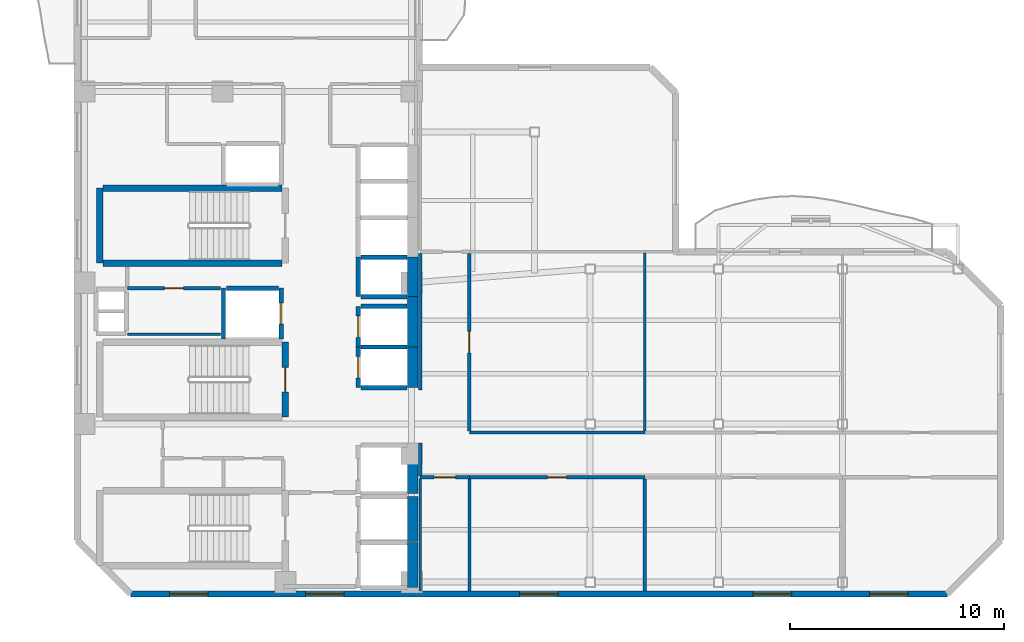
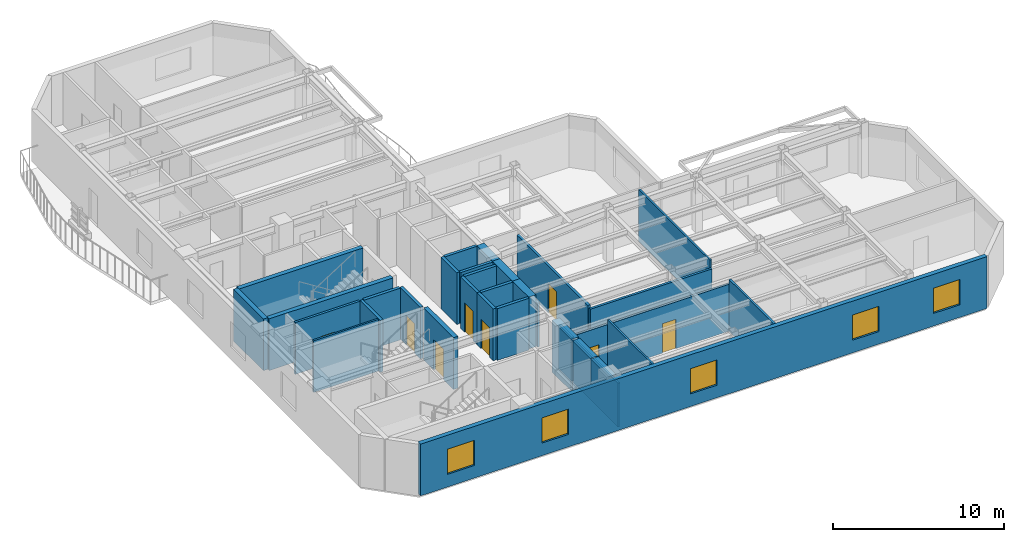
# One storey, part 3 of 9: 34 walls, 8 doors, 5 windows, 13 openings.
"""IFC4 building model written with IfcOpenShell, lengths in metres."""

from ifc_helpers import new_model, si_unit, direction, frame, frame_2d, origin, place, context, subcontext, project, spatial, rectangle, extrude, material, layer, layer_set, type_object, element, fill, save


model = new_model("IFC4")

# Units and contexts
model_context = context("Model", 3, precision=1e-05, world=origin(), true_north=direction((0.0, 1.0)))
body_context = subcontext(model_context, "Body", "Model", "MODEL_VIEW")
ifc_project = project(units=[si_unit("LENGTHUNIT", "METRE"), si_unit("AREAUNIT", "SQUARE_METRE"), si_unit("VOLUMEUNIT", "CUBIC_METRE"), si_unit("PLANEANGLEUNIT", "RADIAN"), si_unit("MASSUNIT", "GRAM", prefix="KILO")], contexts=[model_context])

# Site, building, storey
site_placement = place(None, origin())
site = spatial("IfcSite", under=ifc_project, at=site_placement, CompositionType="ELEMENT")
building_placement = place(site_placement, origin())
building = spatial("IfcBuilding", under=site, at=building_placement, Name="Mawjaban Terraces University", CompositionType="ELEMENT")
storey_placement = place(building_placement, frame((0.0, 0.0, 175.800048828125)))
storey = spatial("IfcBuildingStorey", under=building, at=storey_placement, Name="L42", CompositionType="ELEMENT", Elevation=175.800048828125)

# Walls
ifc_material_1 = material(Name="Concrete C60/75", Category="concrete")
ifc_layer_1 = layer(ifc_material_1, 0.5)
ifc_layer_set_1 = layer_set([ifc_layer_1], Name="Concrete C60/75")
wall_type_1 = type_object("IfcWallType", Name="CoreShearWall_500", PredefinedType="SHEAR", material=ifc_layer_set_1)
wall_1_placement = place(storey_placement, frame((37.699951171875, 0.300048828125, 0.0), z_axis=(0.0, 0.0, 1.0), x_axis=(0.0, 1.0, 0.0)))
element("IfcWall", 1, at=wall_1_placement, inside=storey, type_object=wall_type_1, Name="L42 Lift FL-1 Hoistway Wall East", PredefinedType="SHEAR", context=body_context, shape_type="SweptSolid", body=[
    extrude(rectangle(XDim=2.099853515625, YDim=0.5, at=frame_2d((1.0498046875, 0.0))), origin(), (0.0, 0.0, 1.0), 3.68994140625),
])
wall_2_placement = place(storey_placement, frame((37.699951171875, 2.449951171875, 0.0), z_axis=(0.0, 0.0, 1.0), x_axis=(0.0, 1.0, 0.0)))
element("IfcWall", 2, at=wall_2_placement, inside=storey, type_object=wall_type_1, Name="L42 Lift FL-2 Hoistway Wall East", PredefinedType="SHEAR", context=body_context, shape_type="SweptSolid", body=[
    extrude(rectangle(XDim=2.10009765625, YDim=0.5, at=frame_2d((1.050048828125, 0.0))), origin(), (0.0, 0.0, 1.0), 3.68994140625),
])
wall_3_placement = place(storey_placement, frame((37.699951171875, 4.699951171875, 0.0), z_axis=(0.0, 0.0, 1.0), x_axis=(0.0, 1.0, 0.0)))
element("IfcWall", 3, at=wall_3_placement, inside=storey, type_object=wall_type_1, Name="L42 Lift SL-1 Hoistway Wall East", PredefinedType="SHEAR", context=body_context, shape_type="SweptSolid", body=[
    extrude(rectangle(XDim=2.25, YDim=0.5, at=frame_2d((1.125, 0.0))), origin(), (0.0, 0.0, 1.0), 3.68994140625),
])
wall_4_placement = place(storey_placement, frame((37.699951171875, 9.64990234375, 0.0), z_axis=(0.0, 0.0, 1.0), x_axis=(0.0, 1.0, 0.0)))
element("IfcWall", 4, at=wall_4_placement, inside=storey, type_object=wall_type_1, Name="L42 Lift PL-H1 Hoistway Wall East", PredefinedType="SHEAR", context=body_context, shape_type="SweptSolid", body=[
    extrude(rectangle(XDim=1.900146484375, YDim=0.5, at=frame_2d((0.9501953125, 0.0))), origin(), (0.0, 0.0, 1.0), 3.68994140625),
])
wall_5_placement = place(storey_placement, frame((37.699951171875, 11.550048828125, 0.0), z_axis=(0.0, 0.0, 1.0), x_axis=(0.0, 1.0, 0.0)))
element("IfcWall", 5, at=wall_5_placement, inside=storey, type_object=wall_type_1, Name="L42 Lift PL-H2 Hoistway Wall East", PredefinedType="SHEAR", context=body_context, shape_type="SweptSolid", body=[
    extrude(rectangle(XDim=2.349853515625, YDim=0.5, at=frame_2d((1.1748046875, 0.0))), origin(), (0.0, 0.0, 1.0), 3.68994140625),
])
wall_6_placement = place(storey_placement, frame((37.699951171875, 13.89990234375, 0.0), z_axis=(0.0, 0.0, 1.0), x_axis=(0.0, 1.0, 0.0)))
element("IfcWall", 6, at=wall_6_placement, inside=storey, type_object=wall_type_1, Name="L42 Lift OL-1 Hoistway Wall East", PredefinedType="SHEAR", context=body_context, shape_type="SweptSolid", body=[
    extrude(rectangle(XDim=1.85009765625, YDim=0.5, at=frame_2d((0.925048828125, 0.0))), origin(), (0.0, 0.0, 1.0), 3.68994140625),
])

# Wall, opening, door
ifc_material_2 = material(Name="Fire-rated gypsum board on steel stud", Category="steel")
ifc_layer_2 = layer(ifc_material_2, 0.159912109375)
ifc_layer_set_2 = layer_set([ifc_layer_2], Name="Fire-rated gypsum board on steel stud")
wall_type_2 = type_object("IfcWallType", Name="CorridorPartition_160", PredefinedType="PARTITIONING", material=ifc_layer_set_2)
wall_7_placement = place(storey_placement, frame((24.35009765625, 14.300048828125, 0.0), z_axis=(0.0, 0.0, 1.0), x_axis=(1.0, 0.0, 0.0)))
wall_7 = element("IfcWall", 7, at=wall_7_placement, inside=storey, type_object=wall_type_2, Name="L42 Core Riser Access Passage Partition 2", PredefinedType="PARTITIONING", context=body_context, shape_type="SweptSolid", body=[
    extrude(rectangle(XDim=4.369873046875, YDim=0.159912109375, at=frame_2d((2.18505859375, 0.0))), origin(), (0.0, 0.0, 1.0), 3.68994140625),
])
opening_1_placement = place(wall_7_placement, frame((1.735107421875, 0.0, 0.0)))
opening_1 = element("IfcOpeningElement", 8, at=opening_1_placement, cuts=wall_7, Name="Opening ID-090", PredefinedType="OPENING", context=body_context, shape_type="SweptSolid", body=[
    extrude(rectangle(XDim=0.89990234375, YDim=2.10009765625, at=frame_2d((0.449951171875, 1.050048828125))), frame((0.0, 0.08984375, 0.0), z_axis=(0.0, -1.0, 0.0), x_axis=(1.0, 0.0, 0.0)), (0.0, 0.0, 1.0), 0.179931640625),
])
ifc_material_3 = material(Name="Powder-coated steel frame and solid acoustic timber leaf", Category="steel")
door_type_1 = type_object("IfcDoorType", Name="OfficeDoor_900x2100", OperationType="NOTDEFINED", PredefinedType="DOOR", material=ifc_material_3)
door_1_placement = place(opening_1_placement, origin())
door_1 = element("IfcDoor", 9, at=door_1_placement, inside=storey, type_object=door_type_1, Name="L42 Cleaner Store Door", OperationType="SINGLE_SWING_RIGHT", OverallHeight=2.10009765625, OverallWidth=0.89990234375, PredefinedType="DOOR", context=body_context, shape_type="SweptSolid", body=[
    extrude(rectangle(XDim=0.89990234375, YDim=2.10009765625, at=frame_2d((0.449951171875, 1.050048828125))), frame((0.0, 0.02490234375, 0.0), z_axis=(0.0, -1.0, 0.0), x_axis=(1.0, 0.0, 0.0)), (0.0, 0.0, 1.0), 0.050048828125),
])
fill(opening_1, door_1)

wall_8_placement = place(storey_placement, frame((38.050048828125, 5.449951171875, 0.0), z_axis=(0.0, 0.0, 1.0), x_axis=(1.0, 0.0, 0.0)))
wall_8 = element("IfcWall", 10, at=wall_8_placement, inside=storey, type_object=wall_type_2, Name="L42 South Spine Spur Link Partition 18", PredefinedType="PARTITIONING", context=body_context, shape_type="SweptSolid", body=[
    extrude(rectangle(XDim=2.300048828125, YDim=0.159912109375, at=frame_2d((1.14990234375, 0.0))), origin(), (0.0, 0.0, 1.0), 3.343017578125),
])
opening_2_placement = place(wall_8_placement, frame((0.64990234375, 0.0, 0.0)))
opening_2 = element("IfcOpeningElement", 11, at=opening_2_placement, cuts=wall_8, Name="Opening ID-100", PredefinedType="OPENING", context=body_context, shape_type="SweptSolid", body=[
    extrude(rectangle(XDim=1.0, YDim=2.10009765625, at=frame_2d((0.5, 1.050048828125))), frame((0.0, 0.08984375, 0.0), z_axis=(0.0, -1.0, 0.0), x_axis=(1.0, 0.0, 0.0)), (0.0, 0.0, 1.0), 0.179931640625),
])
door_type_2 = type_object("IfcDoorType", Name="ClassroomDoor_1000x2100", OperationType="NOTDEFINED", PredefinedType="DOOR", material=ifc_material_3)
door_2_placement = place(opening_2_placement, origin())
door_2 = element("IfcDoor", 12, at=door_2_placement, inside=storey, type_object=door_type_2, Name="L42 Classroom 1 Door", OperationType="SINGLE_SWING_RIGHT", OverallHeight=2.10009765625, OverallWidth=1.0, PredefinedType="DOOR", context=body_context, shape_type="SweptSolid", body=[
    extrude(rectangle(XDim=1.0, YDim=2.10009765625, at=frame_2d((0.5, 1.050048828125))), frame((0.0, 0.02490234375, 0.0), z_axis=(0.0, -1.0, 0.0), x_axis=(1.0, 0.0, 0.0)), (0.0, 0.0, 1.0), 0.050048828125),
])
fill(opening_2, door_2)

wall_9_placement = place(storey_placement, frame((40.35009765625, 5.449951171875, 0.0), z_axis=(0.0, 0.0, 1.0), x_axis=(1.0, 0.0, 0.0)))
wall_9 = element("IfcWall", 13, at=wall_9_placement, inside=storey, type_object=wall_type_2, Name="L42 South Shifted Academic Corridor Partition 19", PredefinedType="PARTITIONING", context=body_context, shape_type="SweptSolid", body=[
    extrude(rectangle(XDim=8.199951171875, YDim=0.159912109375, at=frame_2d((4.10009765625, 0.0))), origin(), (0.0, 0.0, 1.0), 3.343017578125),
])
opening_3_placement = place(wall_9_placement, frame((3.64990234375, 0.0, 0.0)))
opening_3 = element("IfcOpeningElement", 14, at=opening_3_placement, cuts=wall_9, Name="Opening ID-090", PredefinedType="OPENING", context=body_context, shape_type="SweptSolid", body=[
    extrude(rectangle(XDim=0.89990234375, YDim=2.10009765625, at=frame_2d((0.449951171875, 1.050048828125))), frame((0.0, 0.08984375, 0.0), z_axis=(0.0, -1.0, 0.0), x_axis=(1.0, 0.0, 0.0)), (0.0, 0.0, 1.0), 0.179931640625),
])
door_3_placement = place(opening_3_placement, origin())
door_3 = element("IfcDoor", 15, at=door_3_placement, inside=storey, type_object=door_type_1, Name="L42 Seminar Room 2 Door", OperationType="SINGLE_SWING_LEFT", OverallHeight=2.10009765625, OverallWidth=0.89990234375, PredefinedType="DOOR", context=body_context, shape_type="SweptSolid", body=[
    extrude(rectangle(XDim=0.89990234375, YDim=2.10009765625, at=frame_2d((0.449951171875, 1.050048828125))), frame((0.0, 0.02490234375, 0.0), z_axis=(0.0, -1.0, 0.0), x_axis=(1.0, 0.0, 0.0)), (0.0, 0.0, 1.0), 0.050048828125),
])
fill(opening_3, door_3)

# Walls
wall_10_placement = place(storey_placement, frame((48.550048828125, 7.550048828125, 0.0), z_axis=(0.0, 0.0, 1.0), x_axis=(-1.0, 0.0, 0.0)))
element("IfcWall", 16, at=wall_10_placement, inside=storey, type_object=wall_type_2, Name="L42 South Shifted Academic Corridor Partition 22", PredefinedType="PARTITIONING", context=body_context, shape_type="SweptSolid", body=[
    extrude(rectangle(XDim=8.199951171875, YDim=0.159912109375, at=frame_2d((4.10009765625, 0.0))), origin(), (0.0, 0.0, 1.0), 3.138916015625),
])
wall_11_placement = place(storey_placement, frame((38.050048828125, 7.050048828125, 0.0), z_axis=(0.0, 0.0, 1.0), x_axis=(0.0, -1.0, 0.0)))
element("IfcWall", 17, at=wall_11_placement, inside=storey, type_object=wall_type_2, Name="L42 South Spine Spur Link Partition 44", PredefinedType="PARTITIONING", context=body_context, shape_type="SweptSolid", body=[
    extrude(rectangle(XDim=1.525146484375, YDim=0.159912109375, at=frame_2d((0.7626953125, 0.0))), origin(), (0.0, 0.0, 1.0), 3.138916015625),
])
wall_12_placement = place(storey_placement, frame((38.050048828125, 15.925048828125, 0.0), z_axis=(0.0, 0.0, 1.0), x_axis=(0.0, -1.0, 0.0)))
element("IfcWall", 18, at=wall_12_placement, inside=storey, type_object=wall_type_2, Name="L42 South Spine Spur Link Partition 45", PredefinedType="PARTITIONING", context=body_context, shape_type="SweptSolid", body=[
    extrude(rectangle(XDim=6.375, YDim=0.159912109375, at=frame_2d((3.1875, 0.0))), origin(), (0.0, 0.0, 1.0), 3.138916015625),
])

# Wall, opening, door
wall_13_placement = place(storey_placement, frame((40.35009765625, 7.625, 0.0), z_axis=(0.0, 0.0, 1.0), x_axis=(0.0, 1.0, 0.0)))
wall_13 = element("IfcWall", 19, at=wall_13_placement, inside=storey, type_object=wall_type_2, Name="L42 South Spine Spur Link Partition 48", PredefinedType="PARTITIONING", context=body_context, shape_type="SweptSolid", body=[
    extrude(rectangle(XDim=8.300048828125, YDim=0.159912109375, at=frame_2d((4.14990234375, 0.0))), origin(), (0.0, 0.0, 1.0), 3.343017578125),
])
opening_4_placement = place(wall_13_placement, frame((3.64990234375, 0.0, 0.0)))
opening_4 = element("IfcOpeningElement", 20, at=opening_4_placement, cuts=wall_13, Name="Opening ID-100", PredefinedType="OPENING", context=body_context, shape_type="SweptSolid", body=[
    extrude(rectangle(XDim=1.0, YDim=2.10009765625, at=frame_2d((0.5, 1.050048828125))), frame((0.0, 0.08984375, 0.0), z_axis=(0.0, -1.0, 0.0), x_axis=(1.0, 0.0, 0.0)), (0.0, 0.0, 1.0), 0.179931640625),
])
door_4_placement = place(opening_4_placement, origin())
door_4 = element("IfcDoor", 21, at=door_4_placement, inside=storey, type_object=door_type_2, Name="L42 Classroom 3 Door", OperationType="SINGLE_SWING_RIGHT", OverallHeight=2.10009765625, OverallWidth=1.0, PredefinedType="DOOR", context=body_context, shape_type="SweptSolid", body=[
    extrude(rectangle(XDim=1.0, YDim=2.10009765625, at=frame_2d((0.5, 1.050048828125))), frame((0.0, 0.02490234375, 0.0), z_axis=(0.0, -1.0, 0.0), x_axis=(1.0, 0.0, 0.0)), (0.0, 0.0, 1.0), 0.050048828125),
])
fill(opening_4, door_4)

# Wall, openings, windows
ifc_material_4 = material(Name="Insulated terracotta rainscreen on concrete backup C40/50", Category="masonry")
ifc_layer_3 = layer(ifc_material_4, 0.300048828125)
ifc_layer_set_3 = layer_set([ifc_layer_3], Name="Insulated terracotta rainscreen on concrete backup C40/50")
wall_type_3 = type_object("IfcWallType", Name="ExtTerracottaWall_300", PredefinedType="SOLIDWALL", material=ifc_layer_set_3)
wall_14_placement = place(storey_placement, frame((24.5, 0.0, 0.0), z_axis=(0.0, 0.0, 1.0), x_axis=(1.0, 0.0, 0.0)))
wall_14 = element("IfcWall", 22, at=wall_14_placement, inside=storey, type_object=wall_type_3, Name="L42 Exterior Terracotta Wall 1", PredefinedType="SOLIDWALL", context=body_context, shape_type="SweptSolid", body=[
    extrude(rectangle(XDim=38.199951171875, YDim=0.300048828125, at=frame_2d((19.10009765625, 0.0))), origin(), (0.0, 0.0, 1.0), 3.68994140625),
])
opening_5_placement = place(wall_14_placement, frame((1.8291015625, 0.0, 0.89990234375)))
opening_5 = element("IfcOpeningElement", 23, at=opening_5_placement, cuts=wall_14, Name="Opening W-07", PredefinedType="OPENING", context=body_context, shape_type="SweptSolid", body=[
    extrude(rectangle(XDim=1.800048828125, YDim=1.800048828125, at=frame_2d((0.89990234375, 0.89990234375))), frame((0.0, 0.159912109375, 0.0), z_axis=(0.0, -1.0, 0.0), x_axis=(1.0, 0.0, 0.0)), (0.0, 0.0, 1.0), 0.320068359375),
])
opening_6_placement = place(wall_14_placement, frame((8.18603515625, 0.0, 0.89990234375)))
opening_6 = element("IfcOpeningElement", 24, at=opening_6_placement, cuts=wall_14, Name="Opening W-07", PredefinedType="OPENING", context=body_context, shape_type="SweptSolid", body=[
    extrude(rectangle(XDim=1.800048828125, YDim=1.800048828125, at=frame_2d((0.89990234375, 0.89990234375))), frame((0.0, 0.159912109375, 0.0), z_axis=(0.0, -1.0, 0.0), x_axis=(1.0, 0.0, 0.0)), (0.0, 0.0, 1.0), 0.320068359375),
])
opening_7_placement = place(wall_14_placement, frame((18.199951171875, 0.0, 0.89990234375)))
opening_7 = element("IfcOpeningElement", 25, at=opening_7_placement, cuts=wall_14, Name="Opening W-07", PredefinedType="OPENING", context=body_context, shape_type="SweptSolid", body=[
    extrude(rectangle(XDim=1.800048828125, YDim=1.800048828125, at=frame_2d((0.89990234375, 0.89990234375))), frame((0.0, 0.159912109375, 0.0), z_axis=(0.0, -1.0, 0.0), x_axis=(1.0, 0.0, 0.0)), (0.0, 0.0, 1.0), 0.320068359375),
])
opening_8_placement = place(wall_14_placement, frame((29.114013671875, 0.0, 0.89990234375)))
opening_8 = element("IfcOpeningElement", 26, at=opening_8_placement, cuts=wall_14, Name="Opening W-07", PredefinedType="OPENING", context=body_context, shape_type="SweptSolid", body=[
    extrude(rectangle(XDim=1.800048828125, YDim=1.800048828125, at=frame_2d((0.89990234375, 0.89990234375))), frame((0.0, 0.159912109375, 0.0), z_axis=(0.0, -1.0, 0.0), x_axis=(1.0, 0.0, 0.0)), (0.0, 0.0, 1.0), 0.320068359375),
])
opening_9_placement = place(wall_14_placement, frame((34.571044921875, 0.0, 0.89990234375)))
opening_9 = element("IfcOpeningElement", 27, at=opening_9_placement, cuts=wall_14, Name="Opening W-07", PredefinedType="OPENING", context=body_context, shape_type="SweptSolid", body=[
    extrude(rectangle(XDim=1.800048828125, YDim=1.800048828125, at=frame_2d((0.89990234375, 0.89990234375))), frame((0.0, 0.159912109375, 0.0), z_axis=(0.0, -1.0, 0.0), x_axis=(1.0, 0.0, 0.0)), (0.0, 0.0, 1.0), 0.320068359375),
])
ifc_material_5 = material(Name="Low-E solar-control double glazing in thermally broken aluminium frame", Category="aluminium")
window_type = type_object("IfcWindowType", Name="Win_1800x1800", PartitioningType="SINGLE_PANEL", PredefinedType="WINDOW", material=ifc_material_5)
window_1_placement = place(opening_5_placement, origin())
window_1 = element("IfcWindow", 28, at=window_1_placement, inside=storey, type_object=window_type, Name="L42 Facade Window 1.1", OverallHeight=1.800048828125, OverallWidth=1.800048828125, PartitioningType="SINGLE_PANEL", PredefinedType="WINDOW", context=body_context, shape_type="SweptSolid", body=[
    extrude(rectangle(XDim=1.800048828125, YDim=1.800048828125, at=frame_2d((0.89990234375, 0.89990234375))), frame((0.0, 0.030029296875, 0.0), z_axis=(0.0, -1.0, 0.0), x_axis=(1.0, 0.0, 0.0)), (0.0, 0.0, 1.0), 0.06005859375),
])
fill(opening_5, window_1)
window_2_placement = place(opening_6_placement, origin())
window_2 = element("IfcWindow", 29, at=window_2_placement, inside=storey, type_object=window_type, Name="L42 Facade Window 1.2", OverallHeight=1.800048828125, OverallWidth=1.800048828125, PartitioningType="SINGLE_PANEL", PredefinedType="WINDOW", context=body_context, shape_type="SweptSolid", body=[
    extrude(rectangle(XDim=1.800048828125, YDim=1.800048828125, at=frame_2d((0.89990234375, 0.89990234375))), frame((0.0, 0.030029296875, 0.0), z_axis=(0.0, -1.0, 0.0), x_axis=(1.0, 0.0, 0.0)), (0.0, 0.0, 1.0), 0.06005859375),
])
fill(opening_6, window_2)
window_3_placement = place(opening_7_placement, origin())
window_3 = element("IfcWindow", 30, at=window_3_placement, inside=storey, type_object=window_type, Name="L42 Facade Window 1.4", OverallHeight=1.800048828125, OverallWidth=1.800048828125, PartitioningType="SINGLE_PANEL", PredefinedType="WINDOW", context=body_context, shape_type="SweptSolid", body=[
    extrude(rectangle(XDim=1.800048828125, YDim=1.800048828125, at=frame_2d((0.89990234375, 0.89990234375))), frame((0.0, 0.030029296875, 0.0), z_axis=(0.0, -1.0, 0.0), x_axis=(1.0, 0.0, 0.0)), (0.0, 0.0, 1.0), 0.06005859375),
])
fill(opening_7, window_3)
window_4_placement = place(opening_8_placement, origin())
window_4 = element("IfcWindow", 31, at=window_4_placement, inside=storey, type_object=window_type, Name="L42 Facade Window 1.6", OverallHeight=1.800048828125, OverallWidth=1.800048828125, PartitioningType="SINGLE_PANEL", PredefinedType="WINDOW", context=body_context, shape_type="SweptSolid", body=[
    extrude(rectangle(XDim=1.800048828125, YDim=1.800048828125, at=frame_2d((0.89990234375, 0.89990234375))), frame((0.0, 0.030029296875, 0.0), z_axis=(0.0, -1.0, 0.0), x_axis=(1.0, 0.0, 0.0)), (0.0, 0.0, 1.0), 0.06005859375),
])
fill(opening_8, window_4)
window_5_placement = place(opening_9_placement, origin())
window_5 = element("IfcWindow", 32, at=window_5_placement, inside=storey, type_object=window_type, Name="L42 Facade Window 1.7", OverallHeight=1.800048828125, OverallWidth=1.800048828125, PartitioningType="SINGLE_PANEL", PredefinedType="WINDOW", context=body_context, shape_type="SweptSolid", body=[
    extrude(rectangle(XDim=1.800048828125, YDim=1.800048828125, at=frame_2d((0.89990234375, 0.89990234375))), frame((0.0, 0.030029296875, 0.0), z_axis=(0.0, -1.0, 0.0), x_axis=(1.0, 0.0, 0.0)), (0.0, 0.0, 1.0), 0.06005859375),
])
fill(opening_9, window_5)

# Wall, opening, door
ifc_material_6 = material(Name="Concrete C40/50", Category="concrete")
ifc_layer_4 = layer(ifc_material_6, 0.199951171875)
ifc_layer_set_4 = layer_set([ifc_layer_4], Name="Concrete C40/50")
wall_type_4 = type_object("IfcWallType", Name="FireLobbyWall_200", PredefinedType="SOLIDWALL", material=ifc_layer_set_4)
wall_15_placement = place(storey_placement, frame((35.14990234375, 11.550048828125, 0.0), z_axis=(0.0, 0.0, 1.0), x_axis=(0.0, -1.0, 0.0)))
wall_15 = element("IfcWall", 33, at=wall_15_placement, inside=storey, type_object=wall_type_4, Name="L42 Lift PL-H1 Hoistway Wall West", PredefinedType="SOLIDWALL", context=body_context, shape_type="SweptSolid", body=[
    extrude(rectangle(XDim=1.900146484375, YDim=0.199951171875, at=frame_2d((0.9501953125, 0.0))), origin(), (0.0, 0.0, 1.0), 3.68994140625),
])
opening_10_placement = place(wall_15_placement, frame((0.449951171875, 0.0, 0.0)))
opening_10 = element("IfcOpeningElement", 34, at=opening_10_placement, cuts=wall_15, Name="Opening LD-PL-H1", PredefinedType="OPENING", context=body_context, shape_type="SweptSolid", body=[
    extrude(rectangle(XDim=1.0, YDim=2.10009765625, at=frame_2d((0.5, 1.050048828125))), frame((0.0, 0.10986328125, 0.0), z_axis=(0.0, -1.0, 0.0), x_axis=(1.0, 0.0, 0.0)), (0.0, 0.0, 1.0), 0.219970703125),
])
ifc_material_7 = material(Name="Powder-coated steel frame and fire-rated steel-faced leaf", Category="steel")
door_type_3 = type_object("IfcDoorType", Name="LiftLandingSliding_1000x2100", OperationType="NOTDEFINED", PredefinedType="DOOR", material=ifc_material_7)
door_5_placement = place(opening_10_placement, origin())
door_5 = element("IfcDoor", 35, at=door_5_placement, inside=storey, type_object=door_type_3, Name="L42 Lift PL-H1 Sliding Landing Door", OperationType="DOUBLE_DOOR_SLIDING", OverallHeight=2.10009765625, OverallWidth=1.0, PredefinedType="DOOR", context=body_context, shape_type="SweptSolid", body=[
    extrude(rectangle(XDim=1.0, YDim=2.10009765625, at=frame_2d((0.5, 1.050048828125))), frame((0.0, 0.02490234375, 0.0), z_axis=(0.0, -1.0, 0.0), x_axis=(1.0, 0.0, 0.0)), (0.0, 0.0, 1.0), 0.050048828125),
])
fill(opening_10, door_5)

# Walls
for number, where, z_axis, x_axis, name in (
    (36, (35.280029296875, 9.64990234375, 0.0), (0.0, 0.0, 1.0), (1.0, 0.0, 0.0), "L42 Lift PL-H1 Hoistway Wall South"),
    (37, (37.419921875, 11.550048828125, 0.0), (0.0, 0.0, 1.0), (-1.0, 0.0, 0.0), "L42 Lift PL-H1 Hoistway Wall North"),
):
    element("IfcWall", number, at=place(storey_placement, frame(where, z_axis=z_axis, x_axis=x_axis)), inside=storey, type_object=wall_type_4, Name=name, PredefinedType="SOLIDWALL", context=body_context, shape_type="SweptSolid", body=[
        extrude(rectangle(XDim=2.139892578125, YDim=0.199951171875, at=frame_2d((1.06982421875, 0.0))), origin(), (0.0, 0.0, 1.0), 3.68994140625),
    ])

# Wall, opening, door
wall_16_placement = place(storey_placement, frame((35.14990234375, 13.449951171875, 0.0), z_axis=(0.0, 0.0, 1.0), x_axis=(0.0, -1.0, 0.0)))
wall_16 = element("IfcWall", 38, at=wall_16_placement, inside=storey, type_object=wall_type_4, Name="L42 Lift PL-H2 Hoistway Wall West", PredefinedType="SOLIDWALL", context=body_context, shape_type="SweptSolid", body=[
    extrude(rectangle(XDim=1.89990234375, YDim=0.199951171875, at=frame_2d((0.949951171875, 0.0))), origin(), (0.0, 0.0, 1.0), 3.68994140625),
])
opening_11_placement = place(wall_16_placement, frame((0.449951171875, 0.0, 0.0)))
opening_11 = element("IfcOpeningElement", 39, at=opening_11_placement, cuts=wall_16, Name="Opening LD-PL-H2", PredefinedType="OPENING", context=body_context, shape_type="SweptSolid", body=[
    extrude(rectangle(XDim=1.0, YDim=2.10009765625, at=frame_2d((0.5, 1.050048828125))), frame((0.0, 0.10986328125, 0.0), z_axis=(0.0, -1.0, 0.0), x_axis=(1.0, 0.0, 0.0)), (0.0, 0.0, 1.0), 0.219970703125),
])
door_6_placement = place(opening_11_placement, origin())
door_6 = element("IfcDoor", 40, at=door_6_placement, inside=storey, type_object=door_type_3, Name="L42 Lift PL-H2 Sliding Landing Door", OperationType="DOUBLE_DOOR_SLIDING", OverallHeight=2.10009765625, OverallWidth=1.0, PredefinedType="DOOR", context=body_context, shape_type="SweptSolid", body=[
    extrude(rectangle(XDim=1.0, YDim=2.10009765625, at=frame_2d((0.5, 1.050048828125))), frame((0.0, 0.02490234375, 0.0), z_axis=(0.0, -1.0, 0.0), x_axis=(1.0, 0.0, 0.0)), (0.0, 0.0, 1.0), 0.050048828125),
])
fill(opening_11, door_6)

# Walls
wall_17_placement = place(storey_placement, frame((37.419921875, 13.449951171875, 0.0), z_axis=(0.0, 0.0, 1.0), x_axis=(-1.0, 0.0, 0.0)))
element("IfcWall", 41, at=wall_17_placement, inside=storey, type_object=wall_type_4, Name="L42 Lift PL-H2 Hoistway Wall North", PredefinedType="SOLIDWALL", context=body_context, shape_type="SweptSolid", body=[
    extrude(rectangle(XDim=2.139892578125, YDim=0.199951171875, at=frame_2d((1.06982421875, 0.0))), origin(), (0.0, 0.0, 1.0), 3.68994140625),
])
wall_18_placement = place(storey_placement, frame((28.85009765625, 14.300048828125, 0.0), z_axis=(0.0, 0.0, 1.0), x_axis=(0.0, -1.0, 0.0)))
element("IfcWall", 42, at=wall_18_placement, inside=storey, type_object=wall_type_4, Name="L42 Lift PL-H3 Hoistway Wall West", PredefinedType="SOLIDWALL", context=body_context, shape_type="SweptSolid", body=[
    extrude(rectangle(XDim=2.3701171875, YDim=0.199951171875, at=frame_2d((1.18505859375, 0.0))), origin(), (0.0, 0.0, 1.0), 3.68994140625),
])

# Wall, opening, door
wall_19_placement = place(storey_placement, frame((31.550048828125, 11.929931640625, 0.0), z_axis=(0.0, 0.0, 1.0), x_axis=(0.0, 1.0, 0.0)))
wall_19 = element("IfcWall", 43, at=wall_19_placement, inside=storey, type_object=wall_type_4, Name="L42 Lift PL-H3 Hoistway Wall East", PredefinedType="SOLIDWALL", context=body_context, shape_type="SweptSolid", body=[
    extrude(rectangle(XDim=2.3701171875, YDim=0.199951171875, at=frame_2d((1.18505859375, 0.0))), origin(), (0.0, 0.0, 1.0), 3.68994140625),
])
opening_12_placement = place(wall_19_placement, frame((0.68505859375, 0.0, 0.0)))
opening_12 = element("IfcOpeningElement", 44, at=opening_12_placement, cuts=wall_19, Name="Opening LD-PL-H3", PredefinedType="OPENING", context=body_context, shape_type="SweptSolid", body=[
    extrude(rectangle(XDim=1.0, YDim=2.10009765625, at=frame_2d((0.5, 1.050048828125))), frame((0.0, 0.10986328125, 0.0), z_axis=(0.0, -1.0, 0.0), x_axis=(1.0, 0.0, 0.0)), (0.0, 0.0, 1.0), 0.219970703125),
])
door_7_placement = place(opening_12_placement, origin())
door_7 = element("IfcDoor", 45, at=door_7_placement, inside=storey, type_object=door_type_3, Name="L42 Lift PL-H3 Sliding Landing Door", OperationType="DOUBLE_DOOR_SLIDING", OverallHeight=2.10009765625, OverallWidth=1.0, PredefinedType="DOOR", context=body_context, shape_type="SweptSolid", body=[
    extrude(rectangle(XDim=1.0, YDim=2.10009765625, at=frame_2d((0.5, 1.050048828125))), frame((0.0, 0.02490234375, 0.0), z_axis=(0.0, -1.0, 0.0), x_axis=(1.0, 0.0, 0.0)), (0.0, 0.0, 1.0), 0.050048828125),
])
fill(opening_12, door_7)

# Walls
wall_20_placement = place(storey_placement, frame((31.419921875, 14.300048828125, 0.0), z_axis=(0.0, 0.0, 1.0), x_axis=(-1.0, 0.0, 0.0)))
element("IfcWall", 46, at=wall_20_placement, inside=storey, type_object=wall_type_4, Name="L42 Lift PL-H3 Hoistway Wall North", PredefinedType="SOLIDWALL", context=body_context, shape_type="SweptSolid", body=[
    extrude(rectangle(XDim=2.43994140625, YDim=0.199951171875, at=frame_2d((1.219970703125, 0.0))), origin(), (0.0, 0.0, 1.0), 3.68994140625),
])
wall_21_placement = place(storey_placement, frame((35.14990234375, 15.75, 0.0), z_axis=(0.0, 0.0, 1.0), x_axis=(0.0, -1.0, 0.0)))
element("IfcWall", 47, at=wall_21_placement, inside=storey, type_object=wall_type_4, Name="L42 Lift OL-1 Hoistway Wall West", PredefinedType="SOLIDWALL", context=body_context, shape_type="SweptSolid", body=[
    extrude(rectangle(XDim=1.85009765625, YDim=0.199951171875, at=frame_2d((0.925048828125, 0.0))), origin(), (0.0, 0.0, 1.0), 3.68994140625),
])
for number, where, z_axis, x_axis, name in (
    (48, (35.280029296875, 13.89990234375, 0.0), (0.0, 0.0, 1.0), (1.0, 0.0, 0.0), "L42 Lift OL-1 Hoistway Wall South"),
    (49, (37.419921875, 15.75, 0.0), (0.0, 0.0, 1.0), (-1.0, 0.0, 0.0), "L42 Lift OL-1 Hoistway Wall North"),
):
    element("IfcWall", number, at=place(storey_placement, frame(where, z_axis=z_axis, x_axis=x_axis)), inside=storey, type_object=wall_type_4, Name=name, PredefinedType="SOLIDWALL", context=body_context, shape_type="SweptSolid", body=[
        extrude(rectangle(XDim=2.139892578125, YDim=0.199951171875, at=frame_2d((1.06982421875, 0.0))), origin(), (0.0, 0.0, 1.0), 3.68994140625),
    ])
ifc_material_8 = material(Name="Moisture-resistant gypsum board on steel stud", Category="steel")
ifc_layer_5 = layer(ifc_material_8, 0.14501953125)
ifc_layer_set_5 = layer_set([ifc_layer_5], Name="Moisture-resistant gypsum board on steel stud")
wall_type_5 = type_object("IfcWallType", Name="LabPartition_145", PredefinedType="PARTITIONING", material=ifc_layer_set_5)
wall_22_placement = place(storey_placement, frame((48.550048828125, 0.14501953125, 0.0), z_axis=(0.0, 0.0, 1.0), x_axis=(0.0, 1.0, 0.0)))
element("IfcWall", 50, at=wall_22_placement, inside=storey, type_object=wall_type_5, Name="L42 Seminar Room 2 Partition 49", PredefinedType="PARTITIONING", context=body_context, shape_type="SweptSolid", body=[
    extrude(rectangle(XDim=5.22998046875, YDim=0.14501953125, at=frame_2d((2.614990234375, 0.0))), origin(), (0.0, 0.0, 1.0), 3.68994140625),
])
ifc_material_9 = material(Name="Gypsum plasterboard on steel stud", Category="steel")
ifc_layer_6 = layer(ifc_material_9, 0.125)
ifc_layer_set_6 = layer_set([ifc_layer_6], Name="Gypsum plasterboard on steel stud")
wall_type_6 = type_object("IfcWallType", Name="OfficePartition_125", PredefinedType="PARTITIONING", material=ifc_layer_set_6)
wall_23_placement = place(storey_placement, frame((24.35009765625, 12.14990234375, 0.0), z_axis=(0.0, 0.0, 1.0), x_axis=(1.0, 0.0, 0.0)))
element("IfcWall", 51, at=wall_23_placement, inside=storey, type_object=wall_type_6, Name="L42 Cleaner Store Partition 1", PredefinedType="PARTITIONING", context=body_context, shape_type="SweptSolid", body=[
    extrude(rectangle(XDim=4.369873046875, YDim=0.125, at=frame_2d((2.18505859375, 0.0))), origin(), (0.0, 0.0, 1.0), 3.68994140625),
])
wall_24_placement = place(storey_placement, frame((38.050048828125, 5.375, 0.0), z_axis=(0.0, 0.0, 1.0), x_axis=(0.0, -1.0, 0.0)))
element("IfcWall", 52, at=wall_24_placement, inside=storey, type_object=wall_type_6, Name="L42 Classroom 1 Partition 43", PredefinedType="PARTITIONING", context=body_context, shape_type="SweptSolid", body=[
    extrude(rectangle(XDim=5.22998046875, YDim=0.125, at=frame_2d((2.614990234375, 0.0))), origin(), (0.0, 0.0, 1.0), 3.138916015625),
])
wall_25_placement = place(storey_placement, frame((40.35009765625, 0.14501953125, 0.0), z_axis=(0.0, 0.0, 1.0), x_axis=(0.0, 1.0, 0.0)))
element("IfcWall", 53, at=wall_25_placement, inside=storey, type_object=wall_type_6, Name="L42 Classroom 1 Partition 47", PredefinedType="PARTITIONING", context=body_context, shape_type="SweptSolid", body=[
    extrude(rectangle(XDim=5.22998046875, YDim=0.125, at=frame_2d((2.614990234375, 0.0))), origin(), (0.0, 0.0, 1.0), 3.68994140625),
])
wall_26_placement = place(storey_placement, frame((48.550048828125, 7.625, 0.0), z_axis=(0.0, 0.0, 1.0), x_axis=(0.0, 1.0, 0.0)))
element("IfcWall", 54, at=wall_26_placement, inside=storey, type_object=wall_type_6, Name="L42 Classroom 3 Partition 50", PredefinedType="PARTITIONING", context=body_context, shape_type="SweptSolid", body=[
    extrude(rectangle(XDim=8.318115234375, YDim=0.125, at=frame_2d((4.1591796875, 0.0))), origin(), (0.0, 0.0, 1.0), 3.68994140625),
])
ifc_layer_7 = layer(ifc_material_1, 0.300048828125)
ifc_layer_set_7 = layer_set([ifc_layer_7], Name="Concrete C60/75")
wall_type_7 = type_object("IfcWallType", Name="StairShaftWall_300", PredefinedType="SHEAR", material=ifc_layer_set_7)
wall_27_placement = place(storey_placement, frame((31.580078125, 18.97998046875, 0.0), z_axis=(0.0, 0.0, 1.0), x_axis=(-1.0, 0.0, 0.0)))
element("IfcWall", 55, at=wall_27_placement, inside=storey, type_object=wall_type_7, Name="L42 ST-2 Stair Shaft Wall 1", PredefinedType="SHEAR", context=body_context, shape_type="SweptSolid", body=[
    extrude(rectangle(XDim=8.360107421875, YDim=0.300048828125, at=frame_2d((4.18017578125, 0.0))), origin(), (0.0, 0.0, 1.0), 3.68994140625),
])
wall_28_placement = place(storey_placement, frame((23.070068359375, 18.97998046875, 0.0), z_axis=(0.0, 0.0, 1.0), x_axis=(0.0, -1.0, 0.0)))
element("IfcWall", 56, at=wall_28_placement, inside=storey, type_object=wall_type_7, Name="L42 ST-2 Stair Shaft Wall 2", PredefinedType="SHEAR", context=body_context, shape_type="SweptSolid", body=[
    extrude(rectangle(XDim=3.510009765625, YDim=0.300048828125, at=frame_2d((1.7548828125, 0.0))), origin(), (0.0, 0.0, 1.0), 3.68994140625),
])
wall_29_placement = place(storey_placement, frame((23.219970703125, 15.469970703125, 0.0), z_axis=(0.0, 0.0, 1.0), x_axis=(1.0, 0.0, 0.0)))
element("IfcWall", 57, at=wall_29_placement, inside=storey, type_object=wall_type_7, Name="L42 ST-2 Stair Shaft Wall 3", PredefinedType="SHEAR", context=body_context, shape_type="SweptSolid", body=[
    extrude(rectangle(XDim=8.360107421875, YDim=0.300048828125, at=frame_2d((4.18017578125, 0.0))), origin(), (0.0, 0.0, 1.0), 3.68994140625),
])

# Wall, opening, door
wall_30_placement = place(storey_placement, frame((31.72998046875, 8.27001953125, 0.0), z_axis=(0.0, 0.0, 1.0), x_axis=(0.0, 1.0, 0.0)))
wall_30 = element("IfcWall", 58, at=wall_30_placement, inside=storey, type_object=wall_type_7, Name="L42 ST-3 Stair Shaft Wall 4", PredefinedType="SHEAR", context=body_context, shape_type="SweptSolid", body=[
    extrude(rectangle(XDim=3.510009765625, YDim=0.300048828125, at=frame_2d((1.7548828125, 0.0))), origin(), (0.0, 0.0, 1.0), 3.68994140625),
])
opening_13_placement = place(wall_30_placement, frame((1.179931640625, 0.0, 0.0)))
opening_13 = element("IfcOpeningElement", 59, at=opening_13_placement, cuts=wall_30, Name="Opening FD-115", PredefinedType="OPENING", context=body_context, shape_type="SweptSolid", body=[
    extrude(rectangle(XDim=1.14990234375, YDim=2.14990234375, at=frame_2d((0.574951171875, 1.074951171875))), frame((0.0, 0.159912109375, 0.0), z_axis=(0.0, -1.0, 0.0), x_axis=(1.0, 0.0, 0.0)), (0.0, 0.0, 1.0), 0.320068359375),
])
door_type_4 = type_object("IfcDoorType", Name="FireStairDoor_1150x2150", OperationType="NOTDEFINED", PredefinedType="DOOR", material=ifc_material_7)
door_8_placement = place(opening_13_placement, origin())
door_8 = element("IfcDoor", 60, at=door_8_placement, inside=storey, type_object=door_type_4, Name="L42 ST-3 Pressurised Stair Fire Door", OperationType="SINGLE_SWING_LEFT", OverallHeight=2.14990234375, OverallWidth=1.14990234375, PredefinedType="DOOR", context=body_context, shape_type="SweptSolid", body=[
    extrude(rectangle(XDim=1.14990234375, YDim=2.14990234375, at=frame_2d((0.574951171875, 1.074951171875))), frame((0.0, 0.02490234375, 0.0), z_axis=(0.0, -1.0, 0.0), x_axis=(1.0, 0.0, 0.0)), (0.0, 0.0, 1.0), 0.050048828125),
])
fill(opening_13, door_8)

save(model, "model.ifc")
